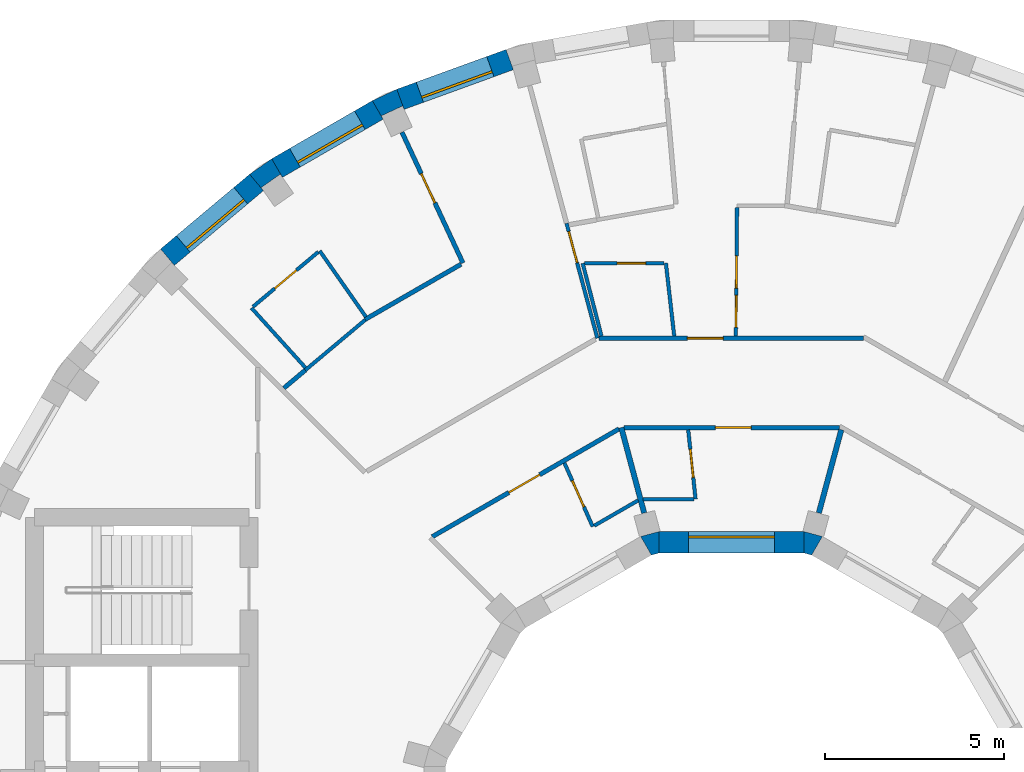
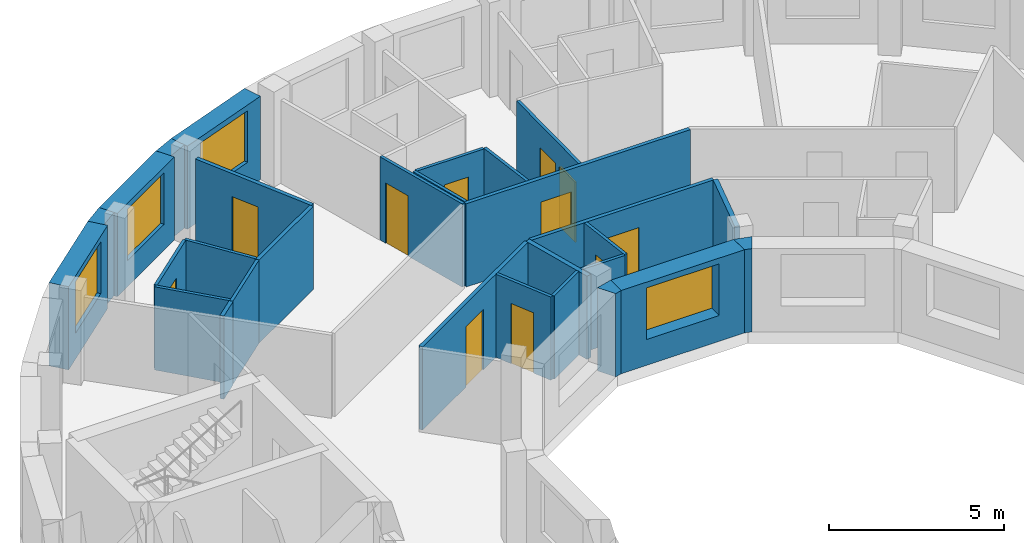
# One storey, part 9 of 12: 29 walls, 11 doors, 4 windows, 15 openings.
"""IFC4 building model written with IfcOpenShell, lengths in metres."""

from ifc_helpers import new_model, si_unit, direction, frame, frame_2d, origin, place, context, subcontext, project, spatial, polyline, rectangle, outline, extrude, material, layer, layer_set, type_object, element, fill, save


model = new_model("IFC4")

# Units and contexts
model_context = context("Model", 3, precision=1e-05, world=origin(), true_north=direction((0.0, 1.0)))
body_context = subcontext(model_context, "Body", "Model", "MODEL_VIEW")
ifc_project = project(units=[si_unit("LENGTHUNIT", "METRE"), si_unit("AREAUNIT", "SQUARE_METRE"), si_unit("VOLUMEUNIT", "CUBIC_METRE"), si_unit("PLANEANGLEUNIT", "RADIAN"), si_unit("MASSUNIT", "GRAM", prefix="KILO")], contexts=[model_context])

# Site, building, storey
site_placement = place(None, origin())
site = spatial("IfcSite", under=ifc_project, at=site_placement, CompositionType="ELEMENT")
building_placement = place(site_placement, origin())
building = spatial("IfcBuilding", under=site, at=building_placement, Name="Saqina Gate Tower", CompositionType="ELEMENT")
storey_placement = place(building_placement, frame((0.0, 0.0, 272.60009765625)))
storey = spatial("IfcBuildingStorey", under=building, at=storey_placement, Name="L78", CompositionType="ELEMENT", Elevation=272.60009765625)

# Walls
ifc_material_1 = material(Name="Brick masonry (buff)", Category="masonry")
wall_type_1 = type_object("IfcWallType", Name="BRICK PIER COPING BUFF", PredefinedType="SOLIDWALL", material=ifc_material_1)
wall_1_placement = place(storey_placement, origin())
element("IfcWall", 1, at=wall_1_placement, inside=storey, type_object=wall_type_1, Name="Pier cap L78 column 12", PredefinedType="SOLIDWALL", context=body_context, shape_type="SweptSolid", body=[
    extrude(outline(polyline([(-9.3642578125, 20.974609375), (-10.048095703125, 20.65576171875), (-9.748291015625, 20.135986328125), (-9.79296875, 20.23193359375), (-9.203857421875, 20.506591796875), (-9.1591796875, 20.410888671875), (-9.3642578125, 20.974609375)])), origin(), (0.0, 0.0, 1.0), 2.89990234375),
])
wall_2_placement = place(storey_placement, origin())
element("IfcWall", 2, at=wall_2_placement, inside=storey, type_object=wall_type_1, Name="Pier cap L78 column 13", PredefinedType="SOLIDWALL", context=body_context, shape_type="SweptSolid", body=[
    extrude(outline(polyline([(-12.8642578125, 19.02978515625), (-13.482421875, 18.59716796875), (-13.0966796875, 18.137451171875), (-13.157470703125, 18.22412109375), (-12.625, 18.596923828125), (-12.564208984375, 18.51025390625), (-12.8642578125, 19.02978515625)])), origin(), (0.0, 0.0, 1.0), 2.89990234375),
])

# Wall, opening, window
ifc_material_2 = material(Name="Brick masonry (buff)", Category="masonry")
ifc_layer_1 = layer(ifc_material_2, 0.60009765625)
ifc_layer_set_1 = layer_set([ifc_layer_1], Name="FW-BRICK-BUFF")
wall_type_2 = type_object("IfcWallType", Name="FW-BRICK-BUFF", PredefinedType="SOLIDWALL", material=ifc_layer_set_1)
wall_3_placement = place(storey_placement, frame((-6.2060546875, 21.804931640625, 0.0), z_axis=(0.0, 0.0, 1.0), x_axis=(-0.939679383794, -0.342056509473, 0.0)))
wall_3 = element("IfcWall", 3, at=wall_3_placement, inside=storey, type_object=wall_type_2, Name="Facade wall L78 facet 11", PredefinedType="SOLIDWALL", context=body_context, shape_type="SweptSolid", body=[
    extrude(rectangle(XDim=3.251708984375, YDim=0.60009765625, at=frame_2d((1.6259765625, 0.0))), origin(), (0.0, 0.0, 1.0), 2.89990234375),
])
opening_1_placement = place(wall_3_placement, frame((0.57568359375, 0.0, 0.89990234375)))
opening_1 = element("IfcOpeningElement", 4, at=opening_1_placement, cuts=wall_3, Name="Opening G23-W09", PredefinedType="OPENING", context=body_context, shape_type="SweptSolid", body=[
    extrude(rectangle(XDim=2.10009765625, YDim=1.800048828125, at=frame_2d((1.050048828125, 0.89990234375))), frame((0.0, 0.31201171875, 0.0), z_axis=(0.0, -1.0, 0.0), x_axis=(1.0, 0.0, 0.0)), (0.0, 0.0, 1.0), 0.6240234375),
])
ifc_material_3 = material(Name="Aluminium glazing", Category="aluminium")
window_type_1 = type_object("IfcWindowType", Name="WN-D", PartitioningType="SINGLE_PANEL", PredefinedType="WINDOW", material=ifc_material_3)
window_1_placement = place(opening_1_placement, origin())
window_1 = element("IfcWindow", 5, at=window_1_placement, inside=storey, type_object=window_type_1, Name="Window L78 facet 11", OverallHeight=1.800048828125, OverallWidth=2.10009765625, PartitioningType="SINGLE_PANEL", PredefinedType="WINDOW", context=body_context, shape_type="SweptSolid", body=[
    extrude(rectangle(XDim=2.10009765625, YDim=1.800048828125, at=frame_2d((1.050048828125, 0.89990234375))), frame((0.0, 0.179931640625, 0.0), z_axis=(0.0, -1.0, 0.0), x_axis=(1.0, 0.0, 0.0)), (0.0, 0.0, 1.0), 0.06005859375),
])
fill(opening_1, window_1)

wall_4_placement = place(storey_placement, frame((-9.898193359375, 20.39599609375, 0.0), z_axis=(0.0, 0.0, 1.0), x_axis=(-0.866016800201, -0.500014901547, 0.0)))
wall_4 = element("IfcWall", 6, at=wall_4_placement, inside=storey, type_object=wall_type_2, Name="Facade wall L78 facet 12", PredefinedType="SOLIDWALL", context=body_context, shape_type="SweptSolid", body=[
    extrude(rectangle(XDim=3.251953125, YDim=0.60009765625, at=frame_2d((1.6259765625, 0.0))), origin(), (0.0, 0.0, 1.0), 2.89990234375),
])
opening_2_placement = place(wall_4_placement, frame((0.57568359375, 0.0, 0.89990234375)))
opening_2 = element("IfcOpeningElement", 7, at=opening_2_placement, cuts=wall_4, Name="Opening G23-W10", PredefinedType="OPENING", context=body_context, shape_type="SweptSolid", body=[
    extrude(rectangle(XDim=2.10009765625, YDim=1.800048828125, at=frame_2d((1.050048828125, 0.89990234375))), frame((0.0, 0.31201171875, 0.0), z_axis=(0.0, -1.0, 0.0), x_axis=(1.0, 0.0, 0.0)), (0.0, 0.0, 1.0), 0.6240234375),
])
window_2_placement = place(opening_2_placement, origin())
window_2 = element("IfcWindow", 8, at=window_2_placement, inside=storey, type_object=window_type_1, Name="Window L78 facet 12", OverallHeight=1.800048828125, OverallWidth=2.10009765625, PartitioningType="SINGLE_PANEL", PredefinedType="WINDOW", context=body_context, shape_type="SweptSolid", body=[
    extrude(rectangle(XDim=2.10009765625, YDim=1.800048828125, at=frame_2d((1.050048828125, 0.89990234375))), frame((0.0, 0.179931640625, 0.0), z_axis=(0.0, -1.0, 0.0), x_axis=(1.0, 0.0, 0.0)), (0.0, 0.0, 1.0), 0.06005859375),
])
fill(opening_2, window_2)

wall_5_placement = place(storey_placement, frame((-13.28955078125, 18.3671875, 0.0), z_axis=(0.0, 0.0, 1.0), x_axis=(-0.766056773982, -0.64277291405, 0.0)))
wall_5 = element("IfcWall", 9, at=wall_5_placement, inside=storey, type_object=wall_type_2, Name="Facade wall L78 facet 13", PredefinedType="SOLIDWALL", context=body_context, shape_type="SweptSolid", body=[
    extrude(rectangle(XDim=3.251708984375, YDim=0.60009765625, at=frame_2d((1.6259765625, 0.0))), origin(), (0.0, 0.0, 1.0), 2.89990234375),
])
opening_3_placement = place(wall_5_placement, frame((0.57568359375, 0.0, 0.89990234375)))
opening_3 = element("IfcOpeningElement", 10, at=opening_3_placement, cuts=wall_5, Name="Opening G23-W11", PredefinedType="OPENING", context=body_context, shape_type="SweptSolid", body=[
    extrude(rectangle(XDim=2.10009765625, YDim=1.800048828125, at=frame_2d((1.050048828125, 0.89990234375))), frame((0.0, 0.31201171875, 0.0), z_axis=(0.0, -1.0, 0.0), x_axis=(1.0, 0.0, 0.0)), (0.0, 0.0, 1.0), 0.6240234375),
])
window_3_placement = place(opening_3_placement, origin())
window_3 = element("IfcWindow", 11, at=window_3_placement, inside=storey, type_object=window_type_1, Name="Window L78 facet 13", OverallHeight=1.800048828125, OverallWidth=2.10009765625, PartitioningType="SINGLE_PANEL", PredefinedType="WINDOW", context=body_context, shape_type="SweptSolid", body=[
    extrude(rectangle(XDim=2.10009765625, YDim=1.800048828125, at=frame_2d((1.050048828125, 0.89990234375))), frame((0.0, 0.179931640625, 0.0), z_axis=(0.0, -1.0, 0.0), x_axis=(1.0, 0.0, 0.0)), (0.0, 0.0, 1.0), 0.06005859375),
])
fill(opening_3, window_3)

ifc_material_4 = material(Name="Glazed ceramic tile", Category="ceramic")
ifc_layer_2 = layer(ifc_material_4, 0.60009765625)
ifc_layer_set_2 = layer_set([ifc_layer_2], Name="IW-TILE")
wall_type_3 = type_object("IfcWallType", Name="IW-TILE", PredefinedType="SOLIDWALL", material=ifc_layer_set_2)
wall_6_placement = place(storey_placement, frame((2.029296875, 8.300048828125, 0.0), z_axis=(0.0, 0.0, 1.0), x_axis=(-1.0, 0.0, 0.0)))
wall_6 = element("IfcWall", 12, at=wall_6_placement, inside=storey, type_object=wall_type_3, Name="Well wall L78 facet 3", PredefinedType="SOLIDWALL", context=body_context, shape_type="SweptSolid", body=[
    extrude(rectangle(XDim=4.05859375, YDim=0.60009765625, at=frame_2d((2.029296875, 0.0))), origin(), (0.0, 0.0, 1.0), 2.89990234375),
])
opening_4_placement = place(wall_6_placement, frame((0.829345703125, 0.0, 0.89990234375)))
opening_4 = element("IfcOpeningElement", 13, at=opening_4_placement, cuts=wall_6, Name="Opening G23-W25", PredefinedType="OPENING", context=body_context, shape_type="SweptSolid", body=[
    extrude(rectangle(XDim=2.39990234375, YDim=1.800048828125, at=frame_2d((1.199951171875, 0.89990234375))), frame((0.0, 0.31201171875, 0.0), z_axis=(0.0, -1.0, 0.0), x_axis=(1.0, 0.0, 0.0)), (0.0, 0.0, 1.0), 0.6240234375),
])
ifc_material_5 = material(Name="Aluminium glazing", Category="aluminium")
window_type_2 = type_object("IfcWindowType", Name="WN-W", PartitioningType="SINGLE_PANEL", PredefinedType="WINDOW", material=ifc_material_5)
window_4_placement = place(opening_4_placement, origin())
window_4 = element("IfcWindow", 14, at=window_4_placement, inside=storey, type_object=window_type_2, Name="Well window L78 facet 3", OverallHeight=1.800048828125, OverallWidth=2.39990234375, PartitioningType="SINGLE_PANEL", PredefinedType="WINDOW", context=body_context, shape_type="SweptSolid", body=[
    extrude(rectangle(XDim=2.39990234375, YDim=1.800048828125, at=frame_2d((1.199951171875, 0.89990234375))), frame((0.0, -0.119873046875, 0.0), z_axis=(0.0, -1.0, 0.0), x_axis=(1.0, 0.0, 0.0)), (0.0, 0.0, 1.0), 0.06005859375),
])
fill(opening_4, window_4)

# Wall, opening, door
ifc_material_6 = material(Name="Gypsum board on steel studs, 100 mm", Category="steel")
ifc_layer_3 = layer(ifc_material_6, 0.10009765625)
ifc_layer_set_3 = layer_set([ifc_layer_3], Name="PARTITION 100")
wall_type_4 = type_object("IfcWallType", Name="PARTITION 100", PredefinedType="PARTITIONING", material=ifc_layer_set_3)
wall_7_placement = place(storey_placement, frame((-1.21142578125, 11.44775390625, 0.0), z_axis=(0.0, 0.0, 1.0), x_axis=(0.105369568355, -0.994433132023, 0.0)))
wall_7 = element("IfcWall", 15, at=wall_7_placement, inside=storey, type_object=wall_type_4, Name="PARTITION PW3-01", PredefinedType="PARTITIONING", context=body_context, shape_type="SweptSolid", body=[
    extrude(rectangle(XDim=1.948486328125, YDim=0.10009765625, at=frame_2d((0.97412109375, 0.0))), origin(), (0.0, 0.0, 1.0), 2.89990234375),
])
opening_5_placement = place(wall_7_placement, frame((0.543212890625, 0.0, 0.0)))
opening_5 = element("IfcOpeningElement", 16, at=opening_5_placement, cuts=wall_7, Name="Opening G23-D12", PredefinedType="OPENING", context=body_context, shape_type="SweptSolid", body=[
    extrude(rectangle(XDim=0.800048828125, YDim=2.10009765625, at=frame_2d((0.39990234375, 1.050048828125))), frame((0.0, 0.06201171875, 0.0), z_axis=(0.0, -1.0, 0.0), x_axis=(1.0, 0.0, 0.0)), (0.0, 0.0, 1.0), 0.1240234375),
])
ifc_material_7 = material(Name="Timber door leaf, 800 mm", Category="wood")
door_type_1 = type_object("IfcDoorType", Name="DOOR 800 TIMBER", OperationType="SINGLE_SWING_LEFT", PredefinedType="DOOR", material=ifc_material_7)
door_1_placement = place(opening_5_placement, origin())
door_1 = element("IfcDoor", 17, at=door_1_placement, inside=storey, type_object=door_type_1, Name="DOOR G23-D12", OperationType="SINGLE_SWING_LEFT", OverallHeight=2.10009765625, OverallWidth=0.800048828125, PredefinedType="DOOR", context=body_context, shape_type="SweptSolid", body=[
    extrude(rectangle(XDim=0.800048828125, YDim=2.10009765625, at=frame_2d((0.39990234375, 1.050048828125))), frame((0.0, 0.02490234375, 0.0), z_axis=(0.0, -1.0, 0.0), x_axis=(1.0, 0.0, 0.0)), (0.0, 0.0, 1.0), 0.050048828125),
])
fill(opening_5, door_1)

# Walls
wall_8_placement = place(storey_placement, frame((-1.8359375, 16.110107421875, 0.0), z_axis=(0.0, 0.0, 1.0), x_axis=(0.113539878009, -0.993533439851, 0.0)))
element("IfcWall", 18, at=wall_8_placement, inside=storey, type_object=wall_type_4, Name="PARTITION PW3-02", PredefinedType="PARTITIONING", context=body_context, shape_type="SweptSolid", body=[
    extrude(rectangle(XDim=2.05126953125, YDim=0.10009765625, at=frame_2d((1.025634765625, 0.0))), origin(), (0.0, 0.0, 1.0), 2.89990234375),
])
wall_9_placement = place(storey_placement, frame((-4.1640625, 16.106201171875, 0.0), z_axis=(0.0, 0.0, 1.0), x_axis=(0.250341539679, -0.968157587127, 0.0)))
element("IfcWall", 19, at=wall_9_placement, inside=storey, type_object=wall_type_4, Name="PARTITION PW3-05", PredefinedType="PARTITIONING", context=body_context, shape_type="SweptSolid", body=[
    extrude(rectangle(XDim=2.1025390625, YDim=0.10009765625, at=frame_2d((1.05126953125, 0.0))), origin(), (0.0, 0.0, 1.0), 2.89990234375),
])

# Wall, opening, door
wall_10_placement = place(storey_placement, frame((-4.61474609375, 17.222412109375, 0.0), z_axis=(0.0, 0.0, 1.0), x_axis=(0.258841272413, -0.965919870225, 0.0)))
wall_10 = element("IfcWall", 20, at=wall_10_placement, inside=storey, type_object=wall_type_4, Name="PARTITION PW3-07", PredefinedType="PARTITIONING", context=body_context, shape_type="SweptSolid", body=[
    extrude(rectangle(XDim=3.32568359375, YDim=0.10009765625, at=frame_2d((1.662841796875, 0.0))), origin(), (0.0, 0.0, 1.0), 2.89990234375),
])
opening_6_placement = place(wall_10_placement, frame((0.2373046875, 0.0, 0.0)))
opening_6 = element("IfcOpeningElement", 21, at=opening_6_placement, cuts=wall_10, Name="Opening G23-D15", PredefinedType="OPENING", context=body_context, shape_type="SweptSolid", body=[
    extrude(rectangle(XDim=0.89990234375, YDim=2.10009765625, at=frame_2d((0.449951171875, 1.050048828125))), frame((0.0, 0.06201171875, 0.0), z_axis=(0.0, -1.0, 0.0), x_axis=(1.0, 0.0, 0.0)), (0.0, 0.0, 1.0), 0.1240234375),
])
ifc_material_8 = material(Name="Timber door leaf, 900 mm", Category="wood")
door_type_2 = type_object("IfcDoorType", Name="DOOR 900 TIMBER", OperationType="SINGLE_SWING_LEFT", PredefinedType="DOOR", material=ifc_material_8)
door_2_placement = place(opening_6_placement, frame((0.89990234375, 0.0, 0.0), z_axis=(0.0, 0.0, 1.0), x_axis=(-1.0, 0.0, 0.0)))
door_2 = element("IfcDoor", 22, at=door_2_placement, inside=storey, type_object=door_type_2, Name="DOOR G23-D15", OperationType="SINGLE_SWING_RIGHT", OverallHeight=2.10009765625, OverallWidth=0.89990234375, PredefinedType="DOOR", context=body_context, shape_type="SweptSolid", body=[
    extrude(rectangle(XDim=0.89990234375, YDim=2.10009765625, at=frame_2d((0.449951171875, 1.050048828125))), frame((0.0, 0.02490234375, 0.0), z_axis=(0.0, -1.0, 0.0), x_axis=(1.0, 0.0, 0.0)), (0.0, 0.0, 1.0), 0.050048828125),
])
fill(opening_6, door_2)

wall_11_placement = place(storey_placement, frame((-4.674560546875, 10.519775390625, 0.0), z_axis=(0.0, 0.0, 1.0), x_axis=(0.405743130594, -0.913987150881, 0.0)))
wall_11 = element("IfcWall", 23, at=wall_11_placement, inside=storey, type_object=wall_type_4, Name="PARTITION PW3-10", PredefinedType="PARTITIONING", context=body_context, shape_type="SweptSolid", body=[
    extrude(rectangle(XDim=1.9482421875, YDim=0.10009765625, at=frame_2d((0.97412109375, 0.0))), origin(), (0.0, 0.0, 1.0), 2.89990234375),
])
opening_7_placement = place(wall_11_placement, frame((0.54296875, 0.0, 0.0)))
opening_7 = element("IfcOpeningElement", 24, at=opening_7_placement, cuts=wall_11, Name="Opening G23-D16", PredefinedType="OPENING", context=body_context, shape_type="SweptSolid", body=[
    extrude(rectangle(XDim=0.800048828125, YDim=2.10009765625, at=frame_2d((0.39990234375, 1.050048828125))), frame((0.0, 0.06201171875, 0.0), z_axis=(0.0, -1.0, 0.0), x_axis=(1.0, 0.0, 0.0)), (0.0, 0.0, 1.0), 0.1240234375),
])
door_3_placement = place(opening_7_placement, frame((0.800048828125, 0.0, 0.0), z_axis=(0.0, 0.0, 1.0), x_axis=(-1.0, 0.0, 0.0)))
door_3 = element("IfcDoor", 25, at=door_3_placement, inside=storey, type_object=door_type_1, Name="DOOR G23-D16", OperationType="SINGLE_SWING_RIGHT", OverallHeight=2.10009765625, OverallWidth=0.800048828125, PredefinedType="DOOR", context=body_context, shape_type="SweptSolid", body=[
    extrude(rectangle(XDim=0.800048828125, YDim=2.10009765625, at=frame_2d((0.39990234375, 1.050048828125))), frame((0.0, 0.02490234375, 0.0), z_axis=(0.0, -1.0, 0.0), x_axis=(1.0, 0.0, 0.0)), (0.0, 0.0, 1.0), 0.050048828125),
])
fill(opening_7, door_3)

# Walls
wall_12_placement = place(storey_placement, frame((-11.521240234375, 16.454345703125, 0.0), z_axis=(0.0, 0.0, 1.0), x_axis=(0.573476881905, -0.819221744047, 0.0)))
element("IfcWall", 26, at=wall_12_placement, inside=storey, type_object=wall_type_4, Name="PARTITION PW3-13", PredefinedType="PARTITIONING", context=body_context, shape_type="SweptSolid", body=[
    extrude(rectangle(XDim=2.254150390625, YDim=0.10009765625, at=frame_2d((1.126953125, 0.0))), origin(), (0.0, 0.0, 1.0), 2.89990234375),
])
wall_13_placement = place(storey_placement, frame((-13.429443359375, 14.85546875, 0.0), z_axis=(0.0, 0.0, 1.0), x_axis=(0.670353689302, -0.742041731468, 0.0)))
element("IfcWall", 27, at=wall_13_placement, inside=storey, type_object=wall_type_4, Name="PARTITION PW3-15", PredefinedType="PARTITIONING", context=body_context, shape_type="SweptSolid", body=[
    extrude(rectangle(XDim=2.251220703125, YDim=0.10009765625, at=frame_2d((1.12548828125, 0.0))), origin(), (0.0, 0.0, 1.0), 2.89990234375),
])
wall_14_placement = place(storey_placement, frame((-2.472900390625, 9.510009765625, 0.0), z_axis=(0.0, 0.0, 1.0), x_axis=(1.0, 0.0, 0.0)))
element("IfcWall", 28, at=wall_14_placement, inside=storey, type_object=wall_type_4, Name="PARTITION PW3-26", PredefinedType="PARTITIONING", context=body_context, shape_type="SweptSolid", body=[
    extrude(rectangle(XDim=1.4169921875, YDim=0.10009765625, at=frame_2d((0.70849609375, 0.0))), origin(), (0.0, 0.0, 1.0), 2.89990234375),
])

# Wall, opening, door
wall_15_placement = place(storey_placement, frame((-4.112060546875, 16.110107421875, 0.0), z_axis=(0.0, 0.0, 1.0), x_axis=(1.0, 0.0, 0.0)))
wall_15 = element("IfcWall", 29, at=wall_15_placement, inside=storey, type_object=wall_type_4, Name="PARTITION PW3-27", PredefinedType="PARTITIONING", context=body_context, shape_type="SweptSolid", body=[
    extrude(rectangle(XDim=2.22412109375, YDim=0.10009765625, at=frame_2d((1.112060546875, 0.0))), origin(), (0.0, 0.0, 1.0), 2.89990234375),
])
opening_8_placement = place(wall_15_placement, frame((0.912109375, 0.0, 0.0)))
opening_8 = element("IfcOpeningElement", 30, at=opening_8_placement, cuts=wall_15, Name="Opening G23-D14", PredefinedType="OPENING", context=body_context, shape_type="SweptSolid", body=[
    extrude(rectangle(XDim=0.800048828125, YDim=2.10009765625, at=frame_2d((0.39990234375, 1.050048828125))), frame((0.0, 0.06201171875, 0.0), z_axis=(0.0, -1.0, 0.0), x_axis=(1.0, 0.0, 0.0)), (0.0, 0.0, 1.0), 0.1240234375),
])
door_4_placement = place(opening_8_placement, origin())
door_4 = element("IfcDoor", 31, at=door_4_placement, inside=storey, type_object=door_type_1, Name="DOOR G23-D14", OperationType="SINGLE_SWING_RIGHT", OverallHeight=2.10009765625, OverallWidth=0.800048828125, PredefinedType="DOOR", context=body_context, shape_type="SweptSolid", body=[
    extrude(rectangle(XDim=0.800048828125, YDim=2.10009765625, at=frame_2d((0.39990234375, 1.050048828125))), frame((0.0, 0.02490234375, 0.0), z_axis=(0.0, -1.0, 0.0), x_axis=(1.0, 0.0, 0.0)), (0.0, 0.0, 1.0), 0.050048828125),
])
fill(opening_8, door_4)

# Walls
wall_16_placement = place(storey_placement, frame((-3.840576171875, 8.763916015625, 0.0), z_axis=(0.0, 0.0, 1.0), x_axis=(0.866093804534, 0.499881507708, 0.0)))
element("IfcWall", 32, at=wall_16_placement, inside=storey, type_object=wall_type_4, Name="PARTITION PW3-36", PredefinedType="PARTITIONING", context=body_context, shape_type="SweptSolid", body=[
    extrude(rectangle(XDim=1.417236328125, YDim=0.10009765625, at=frame_2d((0.70849609375, 0.0))), origin(), (0.0, 0.0, 1.0), 2.89990234375),
])
wall_17_placement = place(storey_placement, frame((-11.92626953125, 13.11474609375, 0.0), z_axis=(0.0, 0.0, 1.0), x_axis=(0.766119067307, 0.642698665557, 0.0)))
element("IfcWall", 33, at=wall_17_placement, inside=storey, type_object=wall_type_4, Name="PARTITION PW3-39", PredefinedType="PARTITIONING", context=body_context, shape_type="SweptSolid", body=[
    extrude(rectangle(XDim=2.19384765625, YDim=0.10009765625, at=frame_2d((1.096923828125, 0.0))), origin(), (0.0, 0.0, 1.0), 2.89990234375),
])

# Wall, opening, door
wall_18_placement = place(storey_placement, frame((-13.3896484375, 14.888916015625, 0.0), z_axis=(0.0, 0.0, 1.0), x_axis=(0.765894211942, 0.642966605753, 0.0)))
wall_18 = element("IfcWall", 34, at=wall_18_placement, inside=storey, type_object=wall_type_4, Name="PARTITION PW3-40", PredefinedType="PARTITIONING", context=body_context, shape_type="SweptSolid", body=[
    extrude(rectangle(XDim=2.38720703125, YDim=0.10009765625, at=frame_2d((1.193603515625, 0.0))), origin(), (0.0, 0.0, 1.0), 2.89990234375),
])
opening_9_placement = place(wall_18_placement, frame((0.793212890625, 0.0, 0.0)))
opening_9 = element("IfcOpeningElement", 35, at=opening_9_placement, cuts=wall_18, Name="Opening G23-D19", PredefinedType="OPENING", context=body_context, shape_type="SweptSolid", body=[
    extrude(rectangle(XDim=0.800048828125, YDim=2.10009765625, at=frame_2d((0.39990234375, 1.050048828125))), frame((0.0, 0.06201171875, 0.0), z_axis=(0.0, -1.0, 0.0), x_axis=(1.0, 0.0, 0.0)), (0.0, 0.0, 1.0), 0.1240234375),
])
door_5_placement = place(opening_9_placement, origin())
door_5 = element("IfcDoor", 36, at=door_5_placement, inside=storey, type_object=door_type_1, Name="DOOR G23-D19", OperationType="SINGLE_SWING_LEFT", OverallHeight=2.10009765625, OverallWidth=0.800048828125, PredefinedType="DOOR", context=body_context, shape_type="SweptSolid", body=[
    extrude(rectangle(XDim=0.800048828125, YDim=2.10009765625, at=frame_2d((0.39990234375, 1.050048828125))), frame((0.0, 0.02490234375, 0.0), z_axis=(0.0, -1.0, 0.0), x_axis=(1.0, 0.0, 0.0)), (0.0, 0.0, 1.0), 0.050048828125),
])
fill(opening_9, door_5)

# Wall, openings, doors
wall_19_placement = place(storey_placement, frame((0.12255859375, 14.072509765625, 0.0), z_axis=(0.0, 0.0, 1.0), x_axis=(0.008912423265, 0.999960283567, 0.0)))
wall_19 = element("IfcWall", 37, at=wall_19_placement, inside=storey, type_object=wall_type_4, Name="PARTITION PW3-52", PredefinedType="PARTITIONING", context=body_context, shape_type="SweptSolid", body=[
    extrude(rectangle(XDim=3.588623046875, YDim=0.10009765625, at=frame_2d((1.79443359375, 0.0))), origin(), (0.0, 0.0, 1.0), 2.89990234375),
])
opening_10_placement = place(wall_19_placement, frame((0.237548828125, 0.0, 0.0)))
opening_10 = element("IfcOpeningElement", 38, at=opening_10_placement, cuts=wall_19, Name="Opening G23-D07", PredefinedType="OPENING", context=body_context, shape_type="SweptSolid", body=[
    extrude(rectangle(XDim=0.89990234375, YDim=2.10009765625, at=frame_2d((0.449951171875, 1.050048828125))), frame((0.0, 0.06201171875, 0.0), z_axis=(0.0, -1.0, 0.0), x_axis=(1.0, 0.0, 0.0)), (0.0, 0.0, 1.0), 0.1240234375),
])
opening_11_placement = place(wall_19_placement, frame((1.337646484375, 0.0, 0.0)))
opening_11 = element("IfcOpeningElement", 39, at=opening_11_placement, cuts=wall_19, Name="Opening G23-D08", PredefinedType="OPENING", context=body_context, shape_type="SweptSolid", body=[
    extrude(rectangle(XDim=0.89990234375, YDim=2.10009765625, at=frame_2d((0.449951171875, 1.050048828125))), frame((0.0, 0.06201171875, 0.0), z_axis=(0.0, -1.0, 0.0), x_axis=(1.0, 0.0, 0.0)), (0.0, 0.0, 1.0), 0.1240234375),
])
door_6_placement = place(opening_10_placement, frame((0.89990234375, 0.0, 0.0), z_axis=(0.0, 0.0, 1.0), x_axis=(-1.0, 0.0, 0.0)))
door_6 = element("IfcDoor", 40, at=door_6_placement, inside=storey, type_object=door_type_2, Name="DOOR G23-D07", OperationType="SINGLE_SWING_RIGHT", OverallHeight=2.10009765625, OverallWidth=0.89990234375, PredefinedType="DOOR", context=body_context, shape_type="SweptSolid", body=[
    extrude(rectangle(XDim=0.89990234375, YDim=2.10009765625, at=frame_2d((0.449951171875, 1.050048828125))), frame((0.0, 0.02490234375, 0.0), z_axis=(0.0, -1.0, 0.0), x_axis=(1.0, 0.0, 0.0)), (0.0, 0.0, 1.0), 0.050048828125),
])
fill(opening_10, door_6)
door_7_placement = place(opening_11_placement, frame((0.89990234375, 0.0, 0.0), z_axis=(0.0, 0.0, 1.0), x_axis=(-1.0, 0.0, 0.0)))
door_7 = element("IfcDoor", 41, at=door_7_placement, inside=storey, type_object=door_type_2, Name="DOOR G23-D08", OperationType="SINGLE_SWING_RIGHT", OverallHeight=2.10009765625, OverallWidth=0.89990234375, PredefinedType="DOOR", context=body_context, shape_type="SweptSolid", body=[
    extrude(rectangle(XDim=0.89990234375, YDim=2.10009765625, at=frame_2d((0.449951171875, 1.050048828125))), frame((0.0, 0.02490234375, 0.0), z_axis=(0.0, -1.0, 0.0), x_axis=(1.0, 0.0, 0.0)), (0.0, 0.0, 1.0), 0.050048828125),
])
fill(opening_11, door_7)

# Wall, opening, door
ifc_material_9 = material(Name="Gypsum board on steel studs, 125 mm, fire rated", Category="steel")
ifc_layer_4 = layer(ifc_material_9, 0.125)
ifc_layer_set_4 = layer_set([ifc_layer_4], Name="PARTITION EI 30 125")
wall_type_5 = type_object("IfcWallType", Name="PARTITION EI 30 125", PredefinedType="PARTITIONING", material=ifc_layer_set_4)
wall_20_placement = place(storey_placement, frame((-9.219482421875, 19.77099609375, 0.0), z_axis=(0.0, 0.0, 1.0), x_axis=(0.422689943865, -0.906274357662, 0.0)))
wall_20 = element("IfcWall", 42, at=wall_20_placement, inside=storey, type_object=wall_type_5, Name="PARTITION PW1-06", PredefinedType="PARTITIONING", context=body_context, shape_type="SweptSolid", body=[
    extrude(rectangle(XDim=4.033203125, YDim=0.125, at=frame_2d((2.0166015625, 0.0))), origin(), (0.0, 0.0, 1.0), 2.89990234375),
])
opening_12_placement = place(wall_20_placement, frame((1.2763671875, 0.0, 0.0)))
opening_12 = element("IfcOpeningElement", 43, at=opening_12_placement, cuts=wall_20, Name="Opening G23-D17", PredefinedType="OPENING", context=body_context, shape_type="SweptSolid", body=[
    extrude(rectangle(XDim=0.89990234375, YDim=2.10009765625, at=frame_2d((0.449951171875, 1.050048828125))), frame((0.0, 0.074462890625, 0.0), z_axis=(0.0, -1.0, 0.0), x_axis=(1.0, 0.0, 0.0)), (0.0, 0.0, 1.0), 0.14892578125),
])
ifc_material_10 = material(Name="Fire door leaf EI 30, 900 mm")
door_type_3 = type_object("IfcDoorType", Name="DOOR 900 EI 30", OperationType="SINGLE_SWING_LEFT", PredefinedType="DOOR", material=ifc_material_10)
door_8_placement = place(opening_12_placement, origin())
door_8 = element("IfcDoor", 44, at=door_8_placement, inside=storey, type_object=door_type_3, Name="DOOR G23-D17", OperationType="SINGLE_SWING_LEFT", OverallHeight=2.10009765625, OverallWidth=0.89990234375, PredefinedType="DOOR", context=body_context, shape_type="SweptSolid", body=[
    extrude(rectangle(XDim=0.89990234375, YDim=2.10009765625, at=frame_2d((0.449951171875, 1.050048828125))), frame((0.0, 0.02490234375, 0.0), z_axis=(0.0, -1.0, 0.0), x_axis=(1.0, 0.0, 0.0)), (0.0, 0.0, 1.0), 0.050048828125),
])
fill(opening_12, door_8)

wall_21_placement = place(storey_placement, frame((-3.009033203125, 11.510009765625, 0.0), z_axis=(0.0, 0.0, 1.0), x_axis=(1.0, 0.0, 0.0)))
wall_21 = element("IfcWall", 45, at=wall_21_placement, inside=storey, type_object=wall_type_5, Name="PARTITION PW1-20", PredefinedType="PARTITIONING", context=body_context, shape_type="SweptSolid", body=[
    extrude(rectangle(XDim=6.030517578125, YDim=0.125, at=frame_2d((3.01513671875, 0.0))), origin(), (0.0, 0.0, 1.0), 2.89990234375),
])
opening_13_placement = place(wall_21_placement, frame((2.5595703125, 0.0, 0.0)))
opening_13 = element("IfcOpeningElement", 46, at=opening_13_placement, cuts=wall_21, Name="Opening G23-D09", PredefinedType="OPENING", context=body_context, shape_type="SweptSolid", body=[
    extrude(rectangle(XDim=1.0, YDim=2.10009765625, at=frame_2d((0.5, 1.050048828125))), frame((0.0, 0.074462890625, 0.0), z_axis=(0.0, -1.0, 0.0), x_axis=(1.0, 0.0, 0.0)), (0.0, 0.0, 1.0), 0.14892578125),
])
ifc_material_11 = material(Name="Fire door leaf EI 30, 1000 mm")
door_type_4 = type_object("IfcDoorType", Name="DOOR 1000 EI 30", OperationType="SINGLE_SWING_LEFT", PredefinedType="DOOR", material=ifc_material_11)
door_9_placement = place(opening_13_placement, frame((1.0, 0.0, 0.0), z_axis=(0.0, 0.0, 1.0), x_axis=(-1.0, 0.0, 0.0)))
door_9 = element("IfcDoor", 47, at=door_9_placement, inside=storey, type_object=door_type_4, Name="DOOR G23-D09", OperationType="SINGLE_SWING_LEFT", OverallHeight=2.10009765625, OverallWidth=1.0, PredefinedType="DOOR", context=body_context, shape_type="SweptSolid", body=[
    extrude(rectangle(XDim=1.0, YDim=2.10009765625, at=frame_2d((0.5, 1.050048828125))), frame((0.0, 0.02490234375, 0.0), z_axis=(0.0, -1.0, 0.0), x_axis=(1.0, 0.0, 0.0)), (0.0, 0.0, 1.0), 0.050048828125),
])
fill(opening_13, door_9)

wall_22_placement = place(storey_placement, frame((-3.702880859375, 14.010009765625, 0.0), z_axis=(0.0, 0.0, 1.0), x_axis=(1.0, 0.0, 0.0)))
wall_22 = element("IfcWall", 48, at=wall_22_placement, inside=storey, type_object=wall_type_5, Name="PARTITION PW1-21", PredefinedType="PARTITIONING", context=body_context, shape_type="SweptSolid", body=[
    extrude(rectangle(XDim=7.393310546875, YDim=0.125, at=frame_2d((3.69677734375, 0.0))), origin(), (0.0, 0.0, 1.0), 2.89990234375),
])
opening_14_placement = place(wall_22_placement, frame((2.466064453125, 0.0, 0.0)))
opening_14 = element("IfcOpeningElement", 49, at=opening_14_placement, cuts=wall_22, Name="Opening G23-D10", PredefinedType="OPENING", context=body_context, shape_type="SweptSolid", body=[
    extrude(rectangle(XDim=1.0, YDim=2.10009765625, at=frame_2d((0.5, 1.050048828125))), frame((0.0, 0.074462890625, 0.0), z_axis=(0.0, -1.0, 0.0), x_axis=(1.0, 0.0, 0.0)), (0.0, 0.0, 1.0), 0.14892578125),
])
door_10_placement = place(opening_14_placement, origin())
door_10 = element("IfcDoor", 50, at=door_10_placement, inside=storey, type_object=door_type_4, Name="DOOR G23-D10", OperationType="SINGLE_SWING_LEFT", OverallHeight=2.10009765625, OverallWidth=1.0, PredefinedType="DOOR", context=body_context, shape_type="SweptSolid", body=[
    extrude(rectangle(XDim=1.0, YDim=2.10009765625, at=frame_2d((0.5, 1.050048828125))), frame((0.0, 0.02490234375, 0.0), z_axis=(0.0, -1.0, 0.0), x_axis=(1.0, 0.0, 0.0)), (0.0, 0.0, 1.0), 0.050048828125),
])
fill(opening_14, door_10)

# Wall
wall_23_placement = place(storey_placement, frame((-10.2529296875, 14.533447265625, 0.0), z_axis=(0.0, 0.0, 1.0), x_axis=(0.86679387043, 0.498666608252, 0.0)))
element("IfcWall", 51, at=wall_23_placement, inside=storey, type_object=wall_type_5, Name="PARTITION PW1-25", PredefinedType="PARTITIONING", context=body_context, shape_type="SweptSolid", body=[
    extrude(rectangle(XDim=3.09716796875, YDim=0.125, at=frame_2d((1.548583984375, 0.0))), origin(), (0.0, 0.0, 1.0), 2.89990234375),
])

# Wall, opening, door
wall_24_placement = place(storey_placement, frame((-8.371826171875, 8.457275390625, 0.0), z_axis=(0.0, 0.0, 1.0), x_axis=(0.866047390407, 0.499961916119, 0.0)))
wall_24 = element("IfcWall", 52, at=wall_24_placement, inside=storey, type_object=wall_type_5, Name="PARTITION PW1-28", PredefinedType="PARTITIONING", context=body_context, shape_type="SweptSolid", body=[
    extrude(rectangle(XDim=6.03076171875, YDim=0.125, at=frame_2d((3.015380859375, 0.0))), origin(), (0.0, 0.0, 1.0), 2.89990234375),
])
opening_15_placement = place(wall_24_placement, frame((2.47119140625, 0.0, 0.0)))
opening_15 = element("IfcOpeningElement", 53, at=opening_15_placement, cuts=wall_24, Name="Opening G23-D18", PredefinedType="OPENING", context=body_context, shape_type="SweptSolid", body=[
    extrude(rectangle(XDim=1.0, YDim=2.10009765625, at=frame_2d((0.5, 1.050048828125))), frame((0.0, 0.074462890625, 0.0), z_axis=(0.0, -1.0, 0.0), x_axis=(1.0, 0.0, 0.0)), (0.0, 0.0, 1.0), 0.14892578125),
])
door_11_placement = place(opening_15_placement, frame((1.0, 0.0, 0.0), z_axis=(0.0, 0.0, 1.0), x_axis=(-1.0, 0.0, 0.0)))
door_11 = element("IfcDoor", 54, at=door_11_placement, inside=storey, type_object=door_type_4, Name="DOOR G23-D18", OperationType="SINGLE_SWING_RIGHT", OverallHeight=2.10009765625, OverallWidth=1.0, PredefinedType="DOOR", context=body_context, shape_type="SweptSolid", body=[
    extrude(rectangle(XDim=1.0, YDim=2.10009765625, at=frame_2d((0.5, 1.050048828125))), frame((0.0, 0.02490234375, 0.0), z_axis=(0.0, -1.0, 0.0), x_axis=(1.0, 0.0, 0.0)), (0.0, 0.0, 1.0), 0.050048828125),
])
fill(opening_15, door_11)

# Walls
wall_25_placement = place(storey_placement, frame((-12.522216796875, 12.614013671875, 0.0), z_axis=(0.0, 0.0, 1.0), x_axis=(0.765618354165, 0.643295061201, 0.0)))
element("IfcWall", 55, at=wall_25_placement, inside=storey, type_object=wall_type_5, Name="PARTITION PW1-31", PredefinedType="PARTITIONING", context=body_context, shape_type="SweptSolid", body=[
    extrude(rectangle(XDim=0.7783203125, YDim=0.125, at=frame_2d((0.38916015625, 0.0))), origin(), (0.0, 0.0, 1.0), 2.89990234375),
])
ifc_material_12 = material(Name="Gypsum board on steel studs, 150 mm, fire rated", Category="steel")
ifc_layer_5 = layer(ifc_material_12, 0.14990234375)
ifc_layer_set_5 = layer_set([ifc_layer_5], Name="PARTITION EI 60 150")
wall_type_6 = type_object("IfcWallType", Name="PARTITION EI 60 150", PredefinedType="PARTITIONING", material=ifc_layer_set_5)
wall_26_placement = place(storey_placement, frame((-3.083984375, 11.510009765625, 0.0), z_axis=(0.0, 0.0, 1.0), x_axis=(0.258872567774, -0.965911483343, 0.0)))
element("IfcWall", 56, at=wall_26_placement, inside=storey, type_object=wall_type_6, Name="PARTITION PW2-01", PredefinedType="PARTITIONING", context=body_context, shape_type="SweptSolid", body=[
    extrude(rectangle(XDim=2.4736328125, YDim=0.14990234375, at=frame_2d((1.23681640625, 0.0))), origin(), (0.0, 0.0, 1.0), 2.89990234375),
])
wall_27_placement = place(storey_placement, frame((2.443115234375, 9.12060546875, 0.0), z_axis=(0.0, 0.0, 1.0), x_axis=(0.26040916135, 0.965498352502, 0.0)))
element("IfcWall", 57, at=wall_27_placement, inside=storey, type_object=wall_type_6, Name="PARTITION PW2-04", PredefinedType="PARTITIONING", context=body_context, shape_type="SweptSolid", body=[
    extrude(rectangle(XDim=2.411376953125, YDim=0.14990234375, at=frame_2d((1.20556640625, 0.0))), origin(), (0.0, 0.0, 1.0), 2.89990234375),
])
ifc_material_13 = material(Name="Glazed ceramic tile", Category="ceramic")
wall_type_7 = type_object("IfcWallType", Name="TILE PIER COPING", PredefinedType="SOLIDWALL", material=ifc_material_13)
wall_28_placement = place(storey_placement, origin())
element("IfcWall", 58, at=wall_28_placement, inside=storey, type_object=wall_type_7, Name="Well pier cap L78 column 3", PredefinedType="SOLIDWALL", context=body_context, shape_type="SweptSolid", body=[
    extrude(outline(polyline([(2.029296875, 8.60009765625), (2.029296875, 8.0), (2.242431640625, 7.94287109375), (2.54248046875, 8.46240234375), (2.029296875, 8.60009765625)])), origin(), (0.0, 0.0, 1.0), 2.89990234375),
])
wall_29_placement = place(storey_placement, origin())
element("IfcWall", 59, at=wall_29_placement, inside=storey, type_object=wall_type_7, Name="Well pier cap L78 column 4", PredefinedType="SOLIDWALL", context=body_context, shape_type="SweptSolid", body=[
    extrude(outline(polyline([(-2.54248046875, 8.46240234375), (-2.242431640625, 7.94287109375), (-2.029296875, 8.0), (-2.029296875, 8.60009765625), (-2.54248046875, 8.46240234375)])), origin(), (0.0, 0.0, 1.0), 2.89990234375),
])

save(model, "model.ifc")
